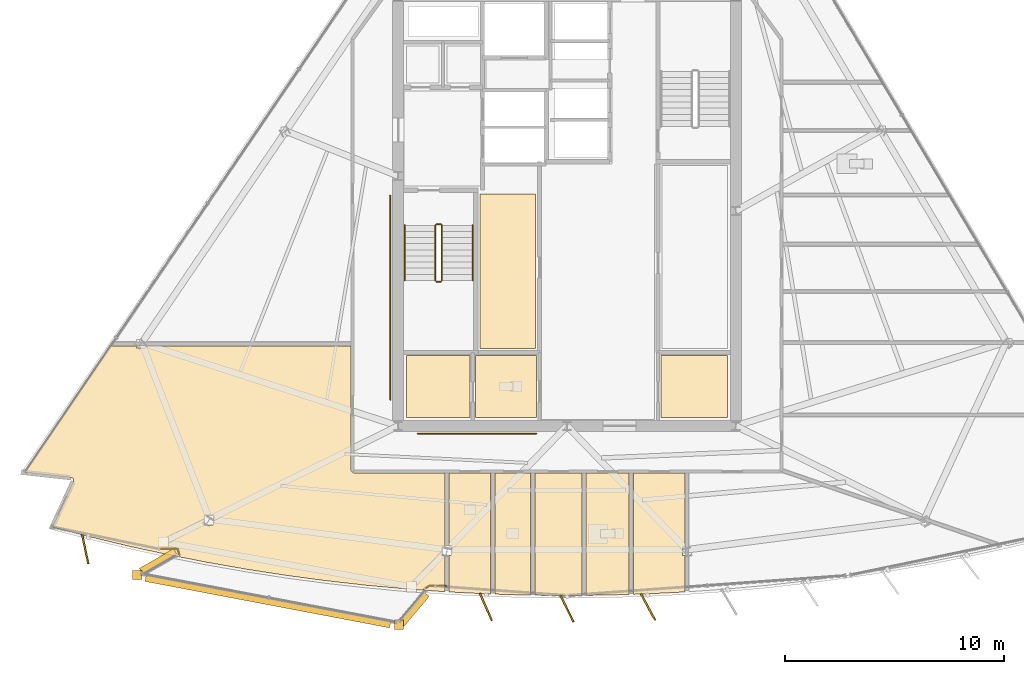
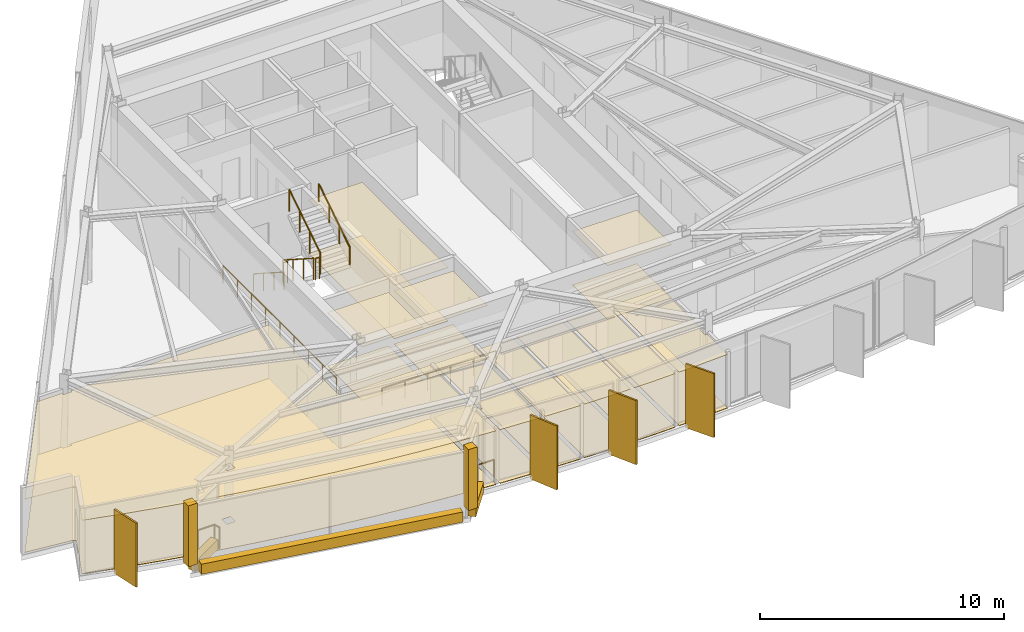
# One storey, part 10 of 14: 25 coverings, 10 railings, 4 shading devices.
"""IFC4 building model written with IfcOpenShell, lengths in metres."""

from ifc_helpers import new_model, si_unit, direction, frame, origin, origin_2d, place, context, subcontext, project, spatial, polyline, rectangle, circle, outline, extrude, material, layer, layer_set, type_object, element, save


model = new_model("IFC4")

# Units and contexts
model_context = context("Model", 3, precision=1e-05, world=origin(), true_north=direction((0.0, 1.0)))
body_context = subcontext(model_context, "Body", "Model", "MODEL_VIEW")
ifc_project = project(units=[si_unit("LENGTHUNIT", "METRE"), si_unit("AREAUNIT", "SQUARE_METRE"), si_unit("VOLUMEUNIT", "CUBIC_METRE"), si_unit("PLANEANGLEUNIT", "RADIAN"), si_unit("MASSUNIT", "GRAM", prefix="KILO")], contexts=[model_context])

# Site, building, storey
site_placement = place(None, origin())
site = spatial("IfcSite", under=ifc_project, at=site_placement, CompositionType="ELEMENT")
building_placement = place(site_placement, origin())
building = spatial("IfcBuilding", under=site, at=building_placement, Name="Savorim Split Tower", CompositionType="ELEMENT")
storey_placement = place(building_placement, frame((0.0, 0.0, 227.10009765625)))
storey = spatial("IfcBuildingStorey", under=building, at=storey_placement, Name="L60", CompositionType="ELEMENT", Elevation=227.10009765625)

# Coverings
ifc_material_1 = material(Name="Mineral Fibre Acoustic Ceiling")
ifc_layer_1 = layer(ifc_material_1, 0.02490234375)
ifc_layer_set_1 = layer_set([ifc_layer_1], Name="COV-CEIL-25")
covering_type_1 = type_object("IfcCoveringType", Name="COV-CEIL-25", PredefinedType="CEILING", material=ifc_layer_set_1)
covering_1_placement = place(storey_placement, frame((0.0, 0.0, 2.669921875)))
element("IfcCovering", 1, at=covering_1_placement, inside=storey, type_object=covering_type_1, Name="L60 Housekeeping and Parcel Room Acoustic Ceiling", PredefinedType="CEILING", context=body_context, shape_type="SweptSolid", body=[
    extrude(outline(polyline([(-3.969970703125, 1.169921875), (-3.969970703125, -5.8701171875), (-1.429931640625, -5.8701171875), (-1.429931640625, 1.169921875), (-3.969970703125, 1.169921875)])), origin(), (0.0, 0.0, 1.0), 0.02490234375),
])
covering_2_placement = place(storey_placement, frame((0.0, 0.0, 2.669921875)))
element("IfcCovering", 2, at=covering_2_placement, inside=storey, type_object=covering_type_1, Name="L60 Housekeeping Store Acoustic Ceiling", PredefinedType="CEILING", context=body_context, shape_type="SweptSolid", body=[
    extrude(outline(polyline([(-7.320068359375, -6.179931640625), (-7.320068359375, -9.02001953125), (-4.429931640625, -9.02001953125), (-4.429931640625, -6.179931640625), (-7.320068359375, -6.179931640625)])), origin(), (0.0, 0.0, 1.0), 0.02490234375),
])
covering_3_placement = place(storey_placement, frame((0.0, 0.0, 2.669921875)))
element("IfcCovering", 3, at=covering_3_placement, inside=storey, type_object=covering_type_1, Name="L60 Accessible WC Acoustic Ceiling", PredefinedType="CEILING", context=body_context, shape_type="SweptSolid", body=[
    extrude(outline(polyline([(-4.169921875, -6.179931640625), (-4.169921875, -9.02001953125), (-1.3798828125, -9.02001953125), (-1.3798828125, -6.179931640625), (-4.169921875, -6.179931640625)])), origin(), (0.0, 0.0, 1.0), 0.02490234375),
])
covering_4_placement = place(storey_placement, frame((0.0, 0.0, 2.669921875)))
element("IfcCovering", 4, at=covering_4_placement, inside=storey, type_object=covering_type_1, Name="L60 Core IT Server Room Acoustic Ceiling", PredefinedType="CEILING", context=body_context, shape_type="SweptSolid", body=[
    extrude(outline(polyline([(4.280029296875, -6.179931640625), (4.280029296875, -9.02001953125), (7.320068359375, -9.02001953125), (7.320068359375, -6.179931640625), (4.280029296875, -6.179931640625)])), origin(), (0.0, 0.0, 1.0), 0.02490234375),
])
covering_5_placement = place(storey_placement, frame((0.0, 0.0, 2.669921875)))
element("IfcCovering", 5, at=covering_5_placement, inside=storey, type_object=covering_type_1, Name="L60 Co-Working Commons Acoustic Ceiling", PredefinedType="CEILING", context=body_context, shape_type="SweptSolid", body=[
    extrude(outline(polyline([(-22.49072265625, -11.86669921875), (-22.490478515625, -11.878662109375), (-22.491455078125, -11.890625), (-22.49365234375, -11.90234375), (-22.496826171875, -11.913818359375), (-22.50146484375, -11.9248046875), (-23.4599609375, -14.01123046875), (-21.8203125, -14.440185546875), (-20.0341796875, -14.868408203125), (-18.23974609375, -15.260009765625), (-16.4375, -15.61474609375), (-14.62841796875, -15.9326171875), (-12.8134765625, -16.21337890625), (-10.992919921875, -16.45703125), (-9.167724609375, -16.663330078125), (-7.3388671875, -16.832275390625), (-5.5703125, -16.959228515625), (-5.5703125, -15.304443359375), (-5.67236328125, -15.304443359375), (-5.67236328125, -14.912353515625), (-5.5703125, -14.912353515625), (-5.5703125, -11.5400390625), (-9.699951171875, -11.5400390625), (-9.713623046875, -11.539306640625), (-9.727294921875, -11.537353515625), (-9.740478515625, -11.533935546875), (-9.753662109375, -11.529296875), (-9.76611328125, -11.5234375), (-9.77783203125, -11.516357421875), (-9.788818359375, -11.50830078125), (-9.799072265625, -11.4990234375), (-9.80810546875, -11.48876953125), (-9.81640625, -11.477783203125), (-9.823486328125, -11.466064453125), (-9.829345703125, -11.45361328125), (-9.833984375, -11.440673828125), (-9.83740234375, -11.42724609375), (-9.83935546875, -11.413818359375), (-9.840087890625, -11.39990234375), (-9.840087890625, -5.746337890625), (-19.234130859375, -5.746337890625), (-19.234130859375, -5.847412109375), (-19.628173828125, -5.847412109375), (-19.628173828125, -5.746337890625), (-20.677001953125, -5.746337890625), (-20.77197265625, -5.746337890625), (-20.77197265625, -5.701904296875), (-24.72802734375, -11.517578125), (-22.59716796875, -11.755615234375), (-22.585205078125, -11.757568359375), (-22.57373046875, -11.760498046875), (-22.5625, -11.7646484375), (-22.552001953125, -11.77001953125), (-22.541748046875, -11.7763671875), (-22.5322265625, -11.78369140625), (-22.523681640625, -11.7919921875), (-22.515869140625, -11.80078125), (-22.509033203125, -11.810546875), (-22.503173828125, -11.821044921875), (-22.498291015625, -11.831787109375), (-22.49462890625, -11.84326171875), (-22.4921875, -11.85498046875), (-22.49072265625, -11.86669921875)]), holes=[polyline([(-16.533935546875, -13.909912109375), (-16.139892578125, -13.909912109375), (-16.139892578125, -13.517822265625), (-16.533935546875, -13.517822265625), (-16.533935546875, -13.909912109375)])]), origin(), (0.0, 0.0, 1.0), 0.02490234375),
])
covering_6_placement = place(storey_placement, frame((0.0, 0.0, 2.669921875)))
element("IfcCovering", 6, at=covering_6_placement, inside=storey, type_object=covering_type_1, Name="L60 Shared Kitchen Acoustic Ceiling", PredefinedType="CEILING", context=body_context, shape_type="SweptSolid", body=[
    extrude(outline(polyline([(-5.38037109375, -16.915283203125), (-5.38037109375, -16.97021484375), (-3.672607421875, -17.0576171875), (-3.477783203125, -17.063720703125), (-3.477783203125, -11.5400390625), (-5.38037109375, -11.5400390625), (-5.38037109375, -14.912353515625), (-5.2783203125, -14.912353515625), (-5.2783203125, -15.304443359375), (-5.38037109375, -15.304443359375), (-5.38037109375, -16.915283203125)])), origin(), (0.0, 0.0, 1.0), 0.02490234375),
])
covering_7_placement = place(storey_placement, frame((0.0, 0.0, 2.669921875)))
element("IfcCovering", 7, at=covering_7_placement, inside=storey, type_object=covering_type_1, Name="L60 Shared Kitchen Acoustic Ceiling", PredefinedType="CEILING", context=body_context, shape_type="SweptSolid", body=[
    extrude(outline(polyline([(-3.287841796875, -11.5400390625), (-3.287841796875, -17.0693359375), (-1.836669921875, -17.114013671875), (-1.6552734375, -17.115966796875), (-1.6552734375, -11.5400390625), (-3.287841796875, -11.5400390625)])), origin(), (0.0, 0.0, 1.0), 0.02490234375),
])
covering_8_placement = place(storey_placement, frame((0.0, 0.0, 2.669921875)))
element("IfcCovering", 8, at=covering_8_placement, inside=storey, type_object=covering_type_1, Name="L60 Quiet Study Room Acoustic Ceiling", PredefinedType="CEILING", context=body_context, shape_type="SweptSolid", body=[
    extrude(outline(polyline([(-1.465087890625, -11.5400390625), (-1.465087890625, -17.117919921875), (0.0, -17.1328125), (0.68994140625, -17.125732421875), (0.68994140625, -11.5400390625), (-1.465087890625, -11.5400390625)])), origin(), (0.0, 0.0, 1.0), 0.02490234375),
])
covering_9_placement = place(storey_placement, frame((0.0, 0.0, 2.669921875)))
element("IfcCovering", 9, at=covering_9_placement, inside=storey, type_object=covering_type_1, Name="L60 Shared Bathroom Acoustic Ceiling", PredefinedType="CEILING", context=body_context, shape_type="SweptSolid", body=[
    extrude(outline(polyline([(0.8798828125, -11.5400390625), (0.8798828125, -17.123779296875), (1.836669921875, -17.114013671875), (2.840087890625, -17.083251953125), (2.840087890625, -11.5400390625), (0.8798828125, -11.5400390625)])), origin(), (0.0, 0.0, 1.0), 0.02490234375),
])
covering_10_placement = place(storey_placement, frame((0.0, 0.0, 2.669921875)))
element("IfcCovering", 10, at=covering_10_placement, inside=storey, type_object=covering_type_1, Name="L60 Co-Living Bedroom Acoustic Ceiling", PredefinedType="CEILING", context=body_context, shape_type="SweptSolid", body=[
    extrude(outline(polyline([(5.38037109375, -11.5400390625), (3.0302734375, -11.5400390625), (3.0302734375, -17.077392578125), (3.672607421875, -17.0576171875), (5.38037109375, -16.97021484375), (5.38037109375, -15.304443359375), (5.2783203125, -15.304443359375), (5.2783203125, -14.912353515625), (5.38037109375, -14.912353515625), (5.38037109375, -11.5400390625)])), origin(), (0.0, 0.0, 1.0), 0.02490234375),
])
ifc_material_2 = material(Name="Porcelain Stoneware Flooring", Category="masonry")
ifc_layer_2 = layer(ifc_material_2, 0.02001953125)
ifc_layer_set_2 = layer_set([ifc_layer_2], Name="COV-FLOR-20")
covering_type_2 = type_object("IfcCoveringType", Name="COV-FLOR-20", PredefinedType="FLOORING", material=ifc_layer_set_2)
covering_11_placement = place(storey_placement, origin())
element("IfcCovering", 11, at=covering_11_placement, inside=storey, type_object=covering_type_2, Name="L60 Housekeeping and Parcel Room Porcelain Flooring", PredefinedType="FLOORING", context=body_context, shape_type="SweptSolid", body=[
    extrude(outline(polyline([(-3.969970703125, 1.169921875), (-3.969970703125, -5.8701171875), (-1.429931640625, -5.8701171875), (-1.429931640625, 1.169921875), (-3.969970703125, 1.169921875)])), origin(), (0.0, 0.0, 1.0), 0.02001953125),
])
covering_12_placement = place(storey_placement, origin())
element("IfcCovering", 12, at=covering_12_placement, inside=storey, type_object=covering_type_2, Name="L60 Housekeeping Store Porcelain Flooring", PredefinedType="FLOORING", context=body_context, shape_type="SweptSolid", body=[
    extrude(outline(polyline([(-7.320068359375, -6.179931640625), (-7.320068359375, -9.02001953125), (-4.429931640625, -9.02001953125), (-4.429931640625, -6.179931640625), (-7.320068359375, -6.179931640625)])), origin(), (0.0, 0.0, 1.0), 0.02001953125),
])
covering_13_placement = place(storey_placement, origin())
element("IfcCovering", 13, at=covering_13_placement, inside=storey, type_object=covering_type_2, Name="L60 Accessible WC Porcelain Flooring", PredefinedType="FLOORING", context=body_context, shape_type="SweptSolid", body=[
    extrude(outline(polyline([(-4.169921875, -6.179931640625), (-4.169921875, -9.02001953125), (-1.3798828125, -9.02001953125), (-1.3798828125, -6.179931640625), (-4.169921875, -6.179931640625)])), origin(), (0.0, 0.0, 1.0), 0.02001953125),
])
covering_14_placement = place(storey_placement, origin())
element("IfcCovering", 14, at=covering_14_placement, inside=storey, type_object=covering_type_2, Name="L60 Core IT Server Room Porcelain Flooring", PredefinedType="FLOORING", context=body_context, shape_type="SweptSolid", body=[
    extrude(outline(polyline([(4.280029296875, -6.179931640625), (4.280029296875, -9.02001953125), (7.320068359375, -9.02001953125), (7.320068359375, -6.179931640625), (4.280029296875, -6.179931640625)])), origin(), (0.0, 0.0, 1.0), 0.02001953125),
])
covering_15_placement = place(storey_placement, origin())
element("IfcCovering", 15, at=covering_15_placement, inside=storey, type_object=covering_type_2, Name="L60 Co-Working Commons Porcelain Flooring", PredefinedType="FLOORING", context=body_context, shape_type="SweptSolid", body=[
    extrude(outline(polyline([(-22.49072265625, -11.86669921875), (-22.490478515625, -11.878662109375), (-22.491455078125, -11.890625), (-22.49365234375, -11.90234375), (-22.496826171875, -11.913818359375), (-22.50146484375, -11.9248046875), (-23.4599609375, -14.01123046875), (-21.8203125, -14.440185546875), (-20.0341796875, -14.868408203125), (-18.23974609375, -15.260009765625), (-16.4375, -15.61474609375), (-14.62841796875, -15.9326171875), (-12.8134765625, -16.21337890625), (-10.992919921875, -16.45703125), (-9.167724609375, -16.663330078125), (-7.3388671875, -16.832275390625), (-5.5703125, -16.959228515625), (-5.5703125, -15.304443359375), (-5.67236328125, -15.304443359375), (-5.67236328125, -14.912353515625), (-5.5703125, -14.912353515625), (-5.5703125, -11.5400390625), (-9.699951171875, -11.5400390625), (-9.713623046875, -11.539306640625), (-9.727294921875, -11.537353515625), (-9.740478515625, -11.533935546875), (-9.753662109375, -11.529296875), (-9.76611328125, -11.5234375), (-9.77783203125, -11.516357421875), (-9.788818359375, -11.50830078125), (-9.799072265625, -11.4990234375), (-9.80810546875, -11.48876953125), (-9.81640625, -11.477783203125), (-9.823486328125, -11.466064453125), (-9.829345703125, -11.45361328125), (-9.833984375, -11.440673828125), (-9.83740234375, -11.42724609375), (-9.83935546875, -11.413818359375), (-9.840087890625, -11.39990234375), (-9.840087890625, -5.746337890625), (-19.234130859375, -5.746337890625), (-19.234130859375, -5.847412109375), (-19.628173828125, -5.847412109375), (-19.628173828125, -5.746337890625), (-20.677001953125, -5.746337890625), (-20.77197265625, -5.746337890625), (-20.77197265625, -5.701904296875), (-24.72802734375, -11.517578125), (-22.59716796875, -11.755615234375), (-22.585205078125, -11.757568359375), (-22.57373046875, -11.760498046875), (-22.5625, -11.7646484375), (-22.552001953125, -11.77001953125), (-22.541748046875, -11.7763671875), (-22.5322265625, -11.78369140625), (-22.523681640625, -11.7919921875), (-22.515869140625, -11.80078125), (-22.509033203125, -11.810546875), (-22.503173828125, -11.821044921875), (-22.498291015625, -11.831787109375), (-22.49462890625, -11.84326171875), (-22.4921875, -11.85498046875), (-22.49072265625, -11.86669921875)]), holes=[polyline([(-16.533935546875, -13.909912109375), (-16.139892578125, -13.909912109375), (-16.139892578125, -13.517822265625), (-16.533935546875, -13.517822265625), (-16.533935546875, -13.909912109375)])]), origin(), (0.0, 0.0, 1.0), 0.02001953125),
])
covering_16_placement = place(storey_placement, origin())
element("IfcCovering", 16, at=covering_16_placement, inside=storey, type_object=covering_type_2, Name="L60 Shared Kitchen Porcelain Flooring", PredefinedType="FLOORING", context=body_context, shape_type="SweptSolid", body=[
    extrude(outline(polyline([(-5.38037109375, -16.915283203125), (-5.38037109375, -16.97021484375), (-3.672607421875, -17.0576171875), (-3.477783203125, -17.063720703125), (-3.477783203125, -11.5400390625), (-5.38037109375, -11.5400390625), (-5.38037109375, -14.912353515625), (-5.2783203125, -14.912353515625), (-5.2783203125, -15.304443359375), (-5.38037109375, -15.304443359375), (-5.38037109375, -16.915283203125)])), origin(), (0.0, 0.0, 1.0), 0.02001953125),
])
covering_17_placement = place(storey_placement, origin())
element("IfcCovering", 17, at=covering_17_placement, inside=storey, type_object=covering_type_2, Name="L60 Shared Kitchen Porcelain Flooring", PredefinedType="FLOORING", context=body_context, shape_type="SweptSolid", body=[
    extrude(outline(polyline([(-3.287841796875, -11.5400390625), (-3.287841796875, -17.0693359375), (-1.836669921875, -17.114013671875), (-1.6552734375, -17.115966796875), (-1.6552734375, -11.5400390625), (-3.287841796875, -11.5400390625)])), origin(), (0.0, 0.0, 1.0), 0.02001953125),
])
covering_18_placement = place(storey_placement, origin())
element("IfcCovering", 18, at=covering_18_placement, inside=storey, type_object=covering_type_2, Name="L60 Quiet Study Room Porcelain Flooring", PredefinedType="FLOORING", context=body_context, shape_type="SweptSolid", body=[
    extrude(outline(polyline([(-1.465087890625, -11.5400390625), (-1.465087890625, -17.117919921875), (0.0, -17.1328125), (0.68994140625, -17.125732421875), (0.68994140625, -11.5400390625), (-1.465087890625, -11.5400390625)])), origin(), (0.0, 0.0, 1.0), 0.02001953125),
])
covering_19_placement = place(storey_placement, origin())
element("IfcCovering", 19, at=covering_19_placement, inside=storey, type_object=covering_type_2, Name="L60 Shared Bathroom Porcelain Flooring", PredefinedType="FLOORING", context=body_context, shape_type="SweptSolid", body=[
    extrude(outline(polyline([(0.8798828125, -11.5400390625), (0.8798828125, -17.123779296875), (1.836669921875, -17.114013671875), (2.840087890625, -17.083251953125), (2.840087890625, -11.5400390625), (0.8798828125, -11.5400390625)])), origin(), (0.0, 0.0, 1.0), 0.02001953125),
])
covering_20_placement = place(storey_placement, origin())
element("IfcCovering", 20, at=covering_20_placement, inside=storey, type_object=covering_type_2, Name="L60 Co-Living Bedroom Porcelain Flooring", PredefinedType="FLOORING", context=body_context, shape_type="SweptSolid", body=[
    extrude(outline(polyline([(5.38037109375, -11.5400390625), (3.0302734375, -11.5400390625), (3.0302734375, -17.077392578125), (3.672607421875, -17.0576171875), (5.38037109375, -16.97021484375), (5.38037109375, -15.304443359375), (5.2783203125, -15.304443359375), (5.2783203125, -14.912353515625), (5.38037109375, -14.912353515625), (5.38037109375, -11.5400390625)])), origin(), (0.0, 0.0, 1.0), 0.02001953125),
])
ifc_material_3 = material(Name="White Porcelain Architectural Cladding")
ifc_layer_3 = layer(ifc_material_3, 0.139892578125)
ifc_layer_set_3 = layer_set([ifc_layer_3], Name="COV-FRM-WHITE")
covering_type_3 = type_object("IfcCoveringType", Name="COV-FRM-WHITE", PredefinedType="CLADDING", material=ifc_layer_set_3)
covering_21_placement = place(storey_placement, frame((0.0, 0.0, 0.010009765625)))
element("IfcCovering", 21, at=covering_21_placement, inside=storey, type_object=covering_type_3, Name="L60 Cantilevered Lounge White Lower Frame Band W", PredefinedType="CLADDING", context=body_context, shape_type="SweptSolid", body=[
    extrude(outline(polyline([(-17.9326171875, -14.99658203125), (-19.4951171875, -15.89013671875), (-19.326416015625, -16.185302734375), (-17.763671875, -15.2919921875), (-17.9326171875, -14.99658203125)])), origin(), (0.0, 0.0, 1.0), 0.510009765625),
])
covering_22_placement = place(storey_placement, frame((0.0, 0.0, 0.010009765625)))
element("IfcCovering", 22, at=covering_22_placement, inside=storey, type_object=covering_type_3, Name="L60 Cantilevered Lounge White Lower Frame Band F", PredefinedType="CLADDING", context=body_context, shape_type="SweptSolid", body=[
    extrude(outline(polyline([(-19.2421875, -16.490966796875), (-8.088134765625, -18.609130859375), (-8.024658203125, -18.275146484375), (-19.178955078125, -16.156982421875), (-19.2421875, -16.490966796875)])), origin(), (0.0, 0.0, 1.0), 0.510009765625),
])
covering_23_placement = place(storey_placement, frame((0.0, 0.0, 0.010009765625)))
element("IfcCovering", 23, at=covering_23_placement, inside=storey, type_object=covering_type_3, Name="L60 Cantilevered Lounge White Lower Frame Band E", PredefinedType="CLADDING", context=body_context, shape_type="SweptSolid", body=[
    extrude(outline(polyline([(-7.434326171875, -18.54833984375), (-6.273193359375, -17.1728515625), (-6.533203125, -16.95361328125), (-7.694091796875, -18.3291015625), (-7.434326171875, -18.54833984375)])), origin(), (0.0, 0.0, 1.0), 0.510009765625),
])
covering_24_placement = place(storey_placement, frame((0.0, 0.0, 0.539794921875)))
element("IfcCovering", 24, at=covering_24_placement, inside=storey, type_object=covering_type_3, Name="L60 Cantilevered Lounge White Frame Corner Post 1", PredefinedType="CLADDING", context=body_context, shape_type="SweptSolid", body=[
    extrude(outline(polyline([(-19.80419921875, -16.41015625), (-19.38427734375, -16.41015625), (-19.38427734375, -15.990234375), (-19.80419921875, -15.990234375), (-19.80419921875, -16.41015625)])), origin(), (0.0, 0.0, 1.0), 3.050048828125),
])
covering_25_placement = place(storey_placement, frame((0.0, 0.0, 0.539794921875)))
element("IfcCovering", 25, at=covering_25_placement, inside=storey, type_object=covering_type_3, Name="L60 Cantilevered Lounge White Frame Corner Post 2", PredefinedType="CLADDING", context=body_context, shape_type="SweptSolid", body=[
    extrude(outline(polyline([(-7.864013671875, -18.677490234375), (-7.444091796875, -18.677490234375), (-7.444091796875, -18.257568359375), (-7.864013671875, -18.257568359375), (-7.864013671875, -18.677490234375)])), origin(), (0.0, 0.0, 1.0), 3.050048828125),
])

# Railings
ifc_material_4 = material(Name="Galvanised Painted Steel Balustrade", Category="steel")
railing_type_1 = type_object("IfcRailingType", Name="RLG-BAL-1100", PredefinedType="BALUSTRADE", material=ifc_material_4)
railing_1_placement = place(storey_placement, frame((-18.53369140625, -14.998046875, 0.0)))
element("IfcRailing", 26, at=railing_1_placement, inside=storey, type_object=railing_type_1, Name="L60 Cantilevered Lounge West Edge Closure Guard", PredefinedType="BALUSTRADE", context=body_context, shape_type="SweptSolid", body=[
    extrude(circle(Radius=0.02392578125, at=origin_2d()), frame((0.0, 0.0, 1.076171875), z_axis=(1.0, 0.0, 0.0), x_axis=(0.0, 1.0, 0.0)), (0.0, 0.0, 1.0), 0.77978515625),
    extrude(circle(Radius=0.02392578125, at=origin_2d()), frame((0.77978515625, 0.0, 1.076171875), z_axis=(0.279087790974, -0.960265590829, 0.0), x_axis=(0.960265590829, 0.279087790974, 0.0)), (0.0, 0.0, 1.0), 0.287841796875),
    extrude(circle(Radius=0.02099609375, at=origin_2d()), origin(), (0.0, 0.0, 1.0), 1.052001953125),
    extrude(circle(Radius=0.02099609375, at=origin_2d()), frame((0.77978515625, 0.0, 0.0)), (0.0, 0.0, 1.0), 1.052001953125),
    extrude(circle(Radius=0.02099609375, at=origin_2d()), frame((0.860107421875, -0.2763671875, 0.0)), (0.0, 0.0, 1.0), 1.052001953125),
])
railing_2_placement = place(storey_placement, frame((-6.5146484375, -16.843994140625, 0.0)))
element("IfcRailing", 27, at=railing_2_placement, inside=storey, type_object=railing_type_1, Name="L60 Cantilevered Lounge East Edge Closure Guard", PredefinedType="BALUSTRADE", context=body_context, shape_type="SweptSolid", body=[
    extrude(circle(Radius=0.02392578125, at=origin_2d()), frame((0.0, 0.0, 1.076171875), z_axis=(0.841354039669, 0.540484393792, 0.0), x_axis=(-0.540484393792, 0.841354039669, 0.0)), (0.0, 0.0, 1.0), 0.27099609375),
    extrude(circle(Radius=0.02392578125, at=origin_2d()), frame((0.22802734375, 0.146484375, 1.076171875), z_axis=(1.0, 0.0, 0.0), x_axis=(0.0, 1.0, 0.0)), (0.0, 0.0, 1.0), 0.780029296875),
    extrude(circle(Radius=0.02099609375, at=origin_2d()), origin(), (0.0, 0.0, 1.0), 1.052001953125),
    extrude(circle(Radius=0.02099609375, at=origin_2d()), frame((0.22802734375, 0.146484375, 0.0)), (0.0, 0.0, 1.0), 1.052001953125),
    extrude(circle(Radius=0.02099609375, at=origin_2d()), frame((1.008056640625, 0.146484375, 0.0)), (0.0, 0.0, 1.0), 1.052001953125),
])
railing_type_2 = type_object("IfcRailingType", Name="RLG-HR-900", PredefinedType="HANDRAIL", material=ifc_material_4)
railing_3_placement = place(storey_placement, frame((-7.39990234375, -0.25, 0.179931640625)))
element("IfcRailing", 28, at=railing_3_placement, inside=storey, type_object=railing_type_2, Name="L60 ST-1 stair handrail 1", PredefinedType="HANDRAIL", context=body_context, shape_type="SweptSolid", body=[
    extrude(circle(Radius=0.02392578125, at=origin_2d()), frame((0.0, 0.0, 0.8759765625), z_axis=(0.0, -0.841199657755, 0.540724639528), x_axis=(1.0, 0.0, 0.0)), (0.0, 0.0, 1.0), 2.995849609375),
    extrude(circle(Radius=0.02099609375, at=origin_2d()), origin(), (0.0, 0.0, 1.0), 0.851806640625),
    extrude(circle(Radius=0.02099609375, at=origin_2d()), frame((0.0, -0.840087890625, 0.5400390625)), (0.0, 0.0, 1.0), 0.851806640625),
    extrude(circle(Radius=0.02099609375, at=origin_2d()), frame((0.0, -1.679931640625, 1.079833984375)), (0.0, 0.0, 1.0), 0.851806640625),
    extrude(circle(Radius=0.02099609375, at=origin_2d()), frame((0.0, -2.52001953125, 1.619873046875)), (0.0, 0.0, 1.0), 0.851806640625),
])
railing_4_placement = place(storey_placement, frame((-4.300048828125, -2.77001953125, 1.97998046875)))
element("IfcRailing", 29, at=railing_4_placement, inside=storey, type_object=railing_type_2, Name="L60 ST-1 stair handrail 2", PredefinedType="HANDRAIL", context=body_context, shape_type="SweptSolid", body=[
    extrude(circle(Radius=0.02392578125, at=origin_2d()), frame((0.0, 0.0, 0.8759765625), z_axis=(0.0, 0.841199657755, 0.540724639528), x_axis=(-1.0, 0.0, 0.0)), (0.0, 0.0, 1.0), 2.995849609375),
    extrude(circle(Radius=0.02099609375, at=origin_2d()), origin(), (0.0, 0.0, 1.0), 0.851806640625),
    extrude(circle(Radius=0.02099609375, at=origin_2d()), frame((0.0, 0.840087890625, 0.5400390625)), (0.0, 0.0, 1.0), 0.851806640625),
    extrude(circle(Radius=0.02099609375, at=origin_2d()), frame((0.0, 1.679931640625, 1.079833984375)), (0.0, 0.0, 1.0), 0.851806640625),
    extrude(circle(Radius=0.02099609375, at=origin_2d()), frame((0.0, 2.52001953125, 1.619873046875)), (0.0, 0.0, 1.0), 0.851806640625),
])
railing_5_placement = place(storey_placement, frame((-6.800048828125, -9.75, 0.0)))
element("IfcRailing", 30, at=railing_5_placement, inside=storey, type_object=railing_type_2, Name="L60 Corridor South Accessible Handrail", PredefinedType="HANDRAIL", context=body_context, shape_type="SweptSolid", body=[
    extrude(circle(Radius=0.02392578125, at=origin_2d()), frame((0.0, 0.0, 0.8759765625), z_axis=(1.0, 0.0, 0.0), x_axis=(0.0, 1.0, 0.0)), (0.0, 0.0, 1.0), 5.400146484375),
    extrude(circle(Radius=0.02099609375, at=origin_2d()), origin(), (0.0, 0.0, 1.0), 0.851806640625),
    extrude(circle(Radius=0.02099609375, at=origin_2d()), frame((1.080078125, 0.0, 0.0)), (0.0, 0.0, 1.0), 0.851806640625),
    extrude(circle(Radius=0.02099609375, at=origin_2d()), frame((2.16015625, 0.0, 0.0)), (0.0, 0.0, 1.0), 0.851806640625),
    extrude(circle(Radius=0.02099609375, at=origin_2d()), frame((3.239990234375, 0.0, 0.0)), (0.0, 0.0, 1.0), 0.851806640625),
    extrude(circle(Radius=0.02099609375, at=origin_2d()), frame((4.320068359375, 0.0, 0.0)), (0.0, 0.0, 1.0), 0.851806640625),
    extrude(circle(Radius=0.02099609375, at=origin_2d()), frame((5.400146484375, 0.0, 0.0)), (0.0, 0.0, 1.0), 0.851806640625),
])
railing_6_placement = place(storey_placement, frame((-8.050048828125, -8.199951171875, 0.0)))
element("IfcRailing", 31, at=railing_6_placement, inside=storey, type_object=railing_type_2, Name="L60 Corridor West Accessible Handrail", PredefinedType="HANDRAIL", context=body_context, shape_type="SweptSolid", body=[
    extrude(circle(Radius=0.02392578125, at=origin_2d()), frame((0.0, 0.0, 0.8759765625), z_axis=(0.0, 1.0, 0.0), x_axis=(-1.0, 0.0, 0.0)), (0.0, 0.0, 1.0), 9.300048828125),
    extrude(circle(Radius=0.02099609375, at=origin_2d()), origin(), (0.0, 0.0, 1.0), 0.851806640625),
    extrude(circle(Radius=0.02099609375, at=origin_2d()), frame((0.0, 1.16259765625, 0.0)), (0.0, 0.0, 1.0), 0.851806640625),
    extrude(circle(Radius=0.02099609375, at=origin_2d()), frame((0.0, 2.324951171875, 0.0)), (0.0, 0.0, 1.0), 0.851806640625),
    extrude(circle(Radius=0.02099609375, at=origin_2d()), frame((0.0, 3.487548828125, 0.0)), (0.0, 0.0, 1.0), 0.851806640625),
    extrude(circle(Radius=0.02099609375, at=origin_2d()), frame((0.0, 4.64990234375, 0.0)), (0.0, 0.0, 1.0), 0.851806640625),
    extrude(circle(Radius=0.02099609375, at=origin_2d()), frame((0.0, 5.8125, 0.0)), (0.0, 0.0, 1.0), 0.851806640625),
    extrude(circle(Radius=0.02099609375, at=origin_2d()), frame((0.0, 6.97509765625, 0.0)), (0.0, 0.0, 1.0), 0.851806640625),
    extrude(circle(Radius=0.02099609375, at=origin_2d()), frame((0.0, 8.137451171875, 0.0)), (0.0, 0.0, 1.0), 0.851806640625),
    extrude(circle(Radius=0.02099609375, at=origin_2d()), frame((0.0, 9.300048828125, 0.0)), (0.0, 0.0, 1.0), 0.851806640625),
])
railing_type_3 = type_object("IfcRailingType", Name="RLG-STG-1100", PredefinedType="BALUSTRADE", material=ifc_material_4)
railing_7_placement = place(storey_placement, frame((-6.0, -0.25, 0.179931640625)))
element("IfcRailing", 32, at=railing_7_placement, inside=storey, type_object=railing_type_3, Name="L60 ST-1 stair guard 1", PredefinedType="BALUSTRADE", context=body_context, shape_type="SweptSolid", body=[
    extrude(circle(Radius=0.02392578125, at=origin_2d()), frame((0.0, 0.0, 1.076171875), z_axis=(0.0, -0.841199657755, 0.540724639528), x_axis=(1.0, 0.0, 0.0)), (0.0, 0.0, 1.0), 2.995849609375),
    extrude(circle(Radius=0.02099609375, at=origin_2d()), origin(), (0.0, 0.0, 1.0), 1.052001953125),
    extrude(circle(Radius=0.02099609375, at=origin_2d()), frame((0.0, -0.840087890625, 0.5400390625)), (0.0, 0.0, 1.0), 1.052001953125),
    extrude(circle(Radius=0.02099609375, at=origin_2d()), frame((0.0, -1.679931640625, 1.079833984375)), (0.0, 0.0, 1.0), 1.052001953125),
    extrude(circle(Radius=0.02099609375, at=origin_2d()), frame((0.0, -2.52001953125, 1.619873046875)), (0.0, 0.0, 1.0), 1.052001953125),
])
railing_8_placement = place(storey_placement, frame((-5.949951171875, -2.820068359375, 1.7998046875)))
element("IfcRailing", 33, at=railing_8_placement, inside=storey, type_object=railing_type_3, Name="L60 ST-1 stair guard 2", PredefinedType="BALUSTRADE", context=body_context, shape_type="SweptSolid", body=[
    extrude(circle(Radius=0.02392578125, at=origin_2d()), frame((0.0, 0.0, 1.076171875), z_axis=(1.0, 0.0, 0.0), x_axis=(0.0, 1.0, 0.0)), (0.0, 0.0, 1.0), 0.199951171875),
    extrude(circle(Radius=0.02099609375, at=origin_2d()), origin(), (0.0, 0.0, 1.0), 1.052001953125),
    extrude(circle(Radius=0.02099609375, at=origin_2d()), frame((0.199951171875, 0.0, 0.0)), (0.0, 0.0, 1.0), 1.052001953125),
])
railing_9_placement = place(storey_placement, frame((-5.699951171875, -2.77001953125, 1.97998046875)))
element("IfcRailing", 34, at=railing_9_placement, inside=storey, type_object=railing_type_3, Name="L60 ST-1 stair guard 3", PredefinedType="BALUSTRADE", context=body_context, shape_type="SweptSolid", body=[
    extrude(circle(Radius=0.02392578125, at=origin_2d()), frame((0.0, 0.0, 1.076171875), z_axis=(0.0, 0.841199657755, 0.540724639528), x_axis=(-1.0, 0.0, 0.0)), (0.0, 0.0, 1.0), 2.995849609375),
    extrude(circle(Radius=0.02099609375, at=origin_2d()), origin(), (0.0, 0.0, 1.0), 1.052001953125),
    extrude(circle(Radius=0.02099609375, at=origin_2d()), frame((0.0, 0.840087890625, 0.5400390625)), (0.0, 0.0, 1.0), 1.052001953125),
    extrude(circle(Radius=0.02099609375, at=origin_2d()), frame((0.0, 1.679931640625, 1.079833984375)), (0.0, 0.0, 1.0), 1.052001953125),
    extrude(circle(Radius=0.02099609375, at=origin_2d()), frame((0.0, 2.52001953125, 1.619873046875)), (0.0, 0.0, 1.0), 1.052001953125),
])
railing_10_placement = place(storey_placement, frame((-5.949951171875, -0.199951171875, 0.0)))
element("IfcRailing", 35, at=railing_10_placement, inside=storey, type_object=railing_type_3, Name="L60 ST-1 stair guard 4", PredefinedType="BALUSTRADE", context=body_context, shape_type="SweptSolid", body=[
    extrude(circle(Radius=0.02392578125, at=origin_2d()), frame((0.0, 0.0, 1.076171875), z_axis=(1.0, 0.0, 0.0), x_axis=(0.0, 1.0, 0.0)), (0.0, 0.0, 1.0), 0.199951171875),
    extrude(circle(Radius=0.02099609375, at=origin_2d()), origin(), (0.0, 0.0, 1.0), 1.052001953125),
    extrude(circle(Radius=0.02099609375, at=origin_2d()), frame((0.199951171875, 0.0, 0.0)), (0.0, 0.0, 1.0), 1.052001953125),
])

# Shading devices
ifc_material_5 = material(Name="Terracotta Ceramic-Coated Aluminium Fin", Category="masonry")
shading_device_type = type_object("IfcShadingDeviceType", Name="SHD-FIN-1360", PredefinedType="USERDEFINED", material=ifc_material_5)
for number, where, z_axis, x_axis, name in (
    (36, (-21.965087890625, -15.018310546875, -0.2001953125), (0.0, 0.0, 1.0), (0.206721626106, -0.978399800337, 0.0), "L60 Sawtooth Shading Fin 01"),
    (37, (-3.697021484375, -17.653076171875, -0.2001953125), (0.0, 0.0, 1.0), (0.401230091723, -0.915977299662, 0.0), "L60 Sawtooth Shading Fin 06"),
    (38, (0.0, -17.728759765625, -0.2001953125), (0.0, 0.0, 1.0), (0.438371146789, -0.898794046299, 0.0), "L60 Sawtooth Shading Fin 07"),
    (39, (3.697021484375, -17.653076171875, -0.2001953125), (0.0, 0.0, 1.0), (0.474778051978, -0.880105562623, 0.0), "L60 Sawtooth Shading Fin 08"),
):
    element("IfcShadingDevice", number, at=place(storey_placement, frame(where, z_axis=z_axis, x_axis=x_axis)), inside=storey, type_object=shading_device_type, Name=name, ObjectType="FIN", PredefinedType="USERDEFINED", context=body_context, shape_type="SweptSolid", body=[
        extrude(rectangle(XDim=1.360107421875, YDim=0.080078125, at=origin_2d()), origin(), (0.0, 0.0, 1.0), 3.199951171875),
    ])

save(model, "model.ifc")
